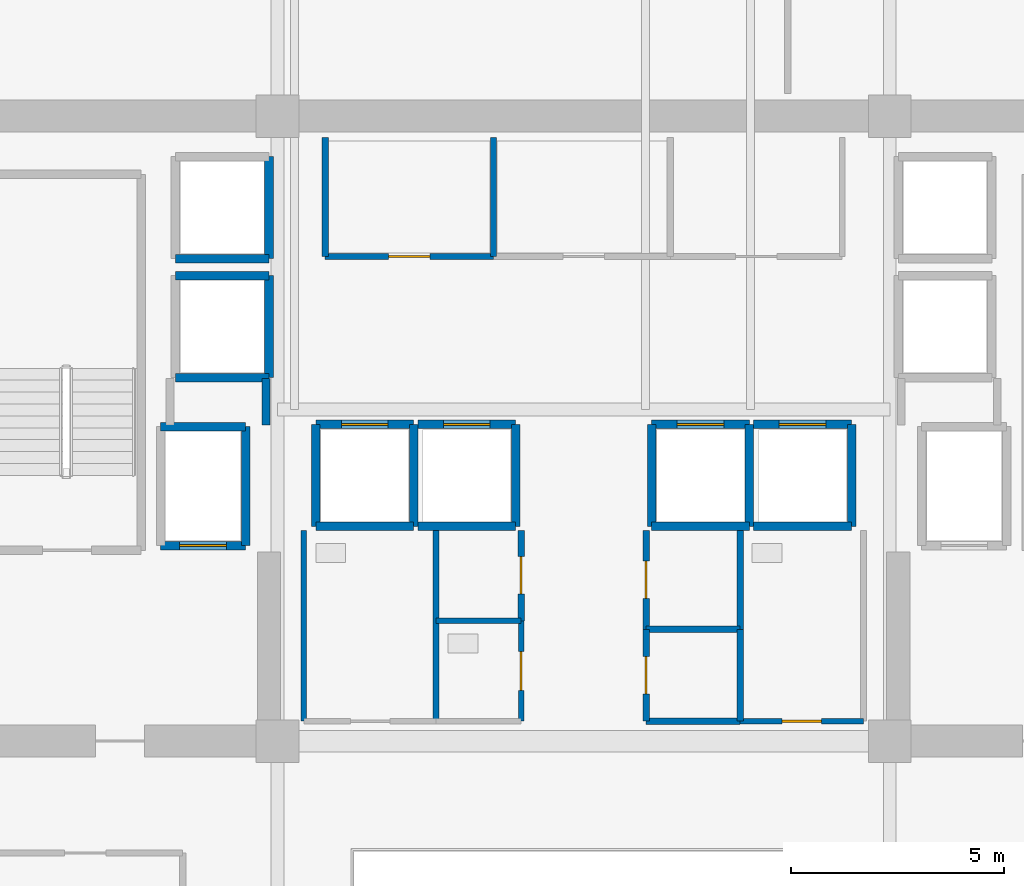
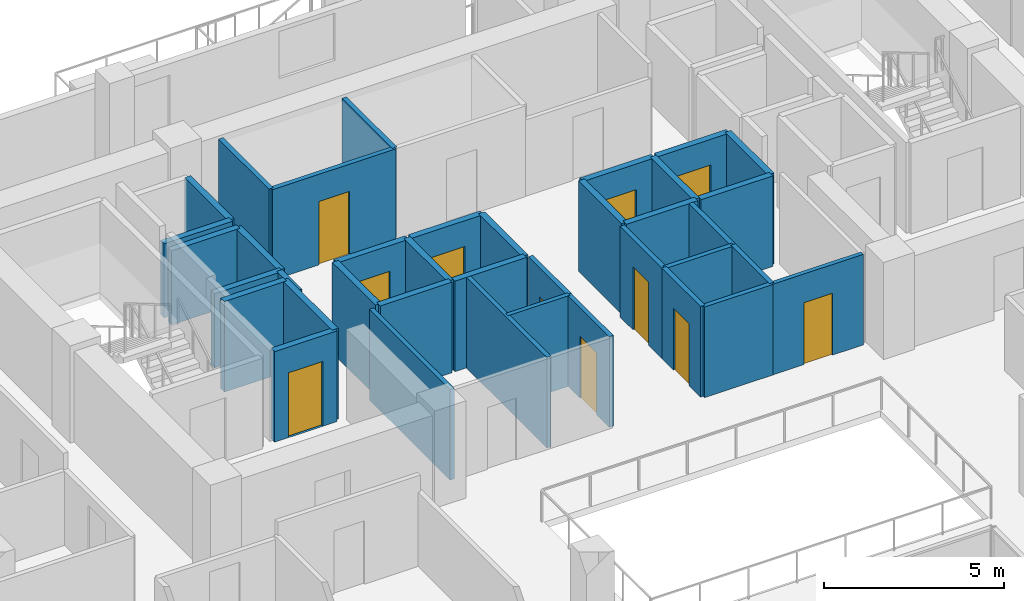
# One storey, part 19 of 27: 38 walls, 11 doors, 11 openings.
"""IFC4 building model written with IfcOpenShell, lengths in metres."""

from ifc_helpers import new_model, si_unit, direction, frame, frame_2d, origin, place, context, subcontext, project, spatial, rectangle, extrude, source, transform, mapped, material, layer, layer_set, type_object, element, fill, save


model = new_model("IFC4")

# Units and contexts
model_context = context("Model", 3, precision=1e-05, world=origin(), true_north=direction((0.0, 1.0)))
body_context = subcontext(model_context, "Body", "Model", "MODEL_VIEW")
ifc_project = project(units=[si_unit("LENGTHUNIT", "METRE"), si_unit("AREAUNIT", "SQUARE_METRE"), si_unit("VOLUMEUNIT", "CUBIC_METRE"), si_unit("PLANEANGLEUNIT", "RADIAN"), si_unit("MASSUNIT", "GRAM", prefix="KILO")], contexts=[model_context])

# Site, building, storey
site_placement = place(None, origin())
site = spatial("IfcSite", under=ifc_project, at=site_placement, CompositionType="ELEMENT")
building_placement = place(site_placement, origin())
building = spatial("IfcBuilding", under=site, at=building_placement, Name="Zarnakvel Exchange Tower", CompositionType="ELEMENT")
storey_placement = place(building_placement, frame((0.0, 0.0, 113.199951171875)))
storey = spatial("IfcBuildingStorey", under=building, at=storey_placement, Name="L31", CompositionType="ELEMENT", Elevation=113.199951171875)

# Wall, opening, door
ifc_material_1 = material(Name="Fire-Rated Gypsum Stud Partition", Category="gypsum")
ifc_layer_1 = layer(ifc_material_1, 0.14990234375)
ifc_layer_set_1 = layer_set([ifc_layer_1], Name="Fire-Rated Gypsum Stud Partition")
wall_type_1 = type_object("IfcWallType", Name="PT-01", PredefinedType="PARTITIONING", material=ifc_layer_set_1)
wall_1_placement = place(storey_placement, frame((-2.1201171875, 10.199951171875, 0.0), z_axis=(0.0, 0.0, 1.0), x_axis=(-1.0, 0.0, 0.0)))
wall_1 = element("IfcWall", 1, at=wall_1_placement, inside=storey, type_object=wall_type_1, Name="L31 Partition Wall PWALL-L31-011 (PT-01)", PredefinedType="PARTITIONING", context=body_context, shape_type="SweptSolid", body=[
    extrude(rectangle(XDim=3.9599609375, YDim=0.14990234375, at=frame_2d((1.97998046875, 0.0))), origin(), (0.0, 0.0, 1.0), 3.074951171875),
])
opening_1_placement = place(wall_1_placement, frame((1.489990234375, 0.0, 0.0)))
opening_1 = element("IfcOpeningElement", 2, at=opening_1_placement, cuts=wall_1, Name="Opening D-L31-05", PredefinedType="OPENING", context=body_context, shape_type="SweptSolid", body=[
    extrude(rectangle(XDim=0.97998046875, YDim=2.14990234375, at=frame_2d((0.489990234375, 1.074951171875))), frame((0.0, 0.0849609375, 0.0), z_axis=(0.0, -1.0, 0.0), x_axis=(1.0, 0.0, 0.0)), (0.0, 0.0, 1.0), 0.169921875),
])
ifc_material_2 = material(Name="Timber Acoustic Veneer", Category="wood")
door_type_1 = type_object("IfcDoorType", Name="DT-05", OperationType="NOTDEFINED", PredefinedType="DOOR", material=ifc_material_2)
shared_shape_1 = source(origin(), body_context, "Body", "SweptSolid", [
    extrude(rectangle(XDim=0.97998046875, YDim=2.14990234375, at=frame_2d((0.489990234375, 1.074951171875))), frame((0.0, 0.02490234375, 0.0), z_axis=(0.0, -1.0, 0.0), x_axis=(1.0, 0.0, 0.0)), (0.0, 0.0, 1.0), 0.050048828125),
])
door_1_placement = place(opening_1_placement, origin())
door_1 = element("IfcDoor", 3, at=door_1_placement, inside=storey, type_object=door_type_1, Name="L31 Clearing Records Office Door D-L31-05", OperationType="SINGLE_SWING_LEFT", OverallHeight=2.14990234375, OverallWidth=0.97998046875, PredefinedType="DOOR", context=body_context, shape_type="MappedRepresentation", body=[
    mapped(shared_shape_1, transform((0.0, 0.0, 0.0), x_axis=(1.0, 0.0, 0.0), y_axis=(0.0, 1.0, 0.0), z_axis=(0.0, 0.0, 1.0), scale=1.0)),
])
fill(opening_1, door_1)

# Walls
for number, where, z_axis, x_axis, name in (
    (4, (-6.080078125, 10.199951171875, 0.0), (0.0, 0.0, 1.0), (0.0, 1.0, 0.0), "L31 Partition Wall PWALL-L31-012 (PT-01)"),
    (5, (-2.1201171875, 13.0, 0.0), (0.0, 0.0, 1.0), (0.0, -1.0, 0.0), "L31 Partition Wall PWALL-L31-013 (PT-01)"),
):
    element("IfcWall", number, at=place(storey_placement, frame(where, z_axis=z_axis, x_axis=x_axis)), inside=storey, type_object=wall_type_1, Name=name, PredefinedType="PARTITIONING", context=body_context, shape_type="SweptSolid", body=[
        extrude(rectangle(XDim=2.800048828125, YDim=0.14990234375, at=frame_2d((1.39990234375, 0.0))), origin(), (0.0, 0.0, 1.0), 3.074951171875),
    ])

# Wall, opening, door
wall_2_placement = place(storey_placement, frame((-1.469970703125, 3.760009765625, 0.0), z_axis=(0.0, 0.0, 1.0), x_axis=(0.0, -1.0, 0.0)))
wall_2 = element("IfcWall", 6, at=wall_2_placement, inside=storey, type_object=wall_type_1, Name="L31 Partition Wall PWALL-L31-024 (PT-01)", PredefinedType="PARTITIONING", context=body_context, shape_type="SweptSolid", body=[
    extrude(rectangle(XDim=2.130126953125, YDim=0.14990234375, at=frame_2d((1.06494140625, 0.0))), origin(), (0.0, 0.0, 1.0), 3.074951171875),
])
opening_2_placement = place(wall_2_placement, frame((0.6201171875, 0.0, 0.0)))
opening_2 = element("IfcOpeningElement", 7, at=opening_2_placement, cuts=wall_2, Name="Opening D-L31-10", PredefinedType="OPENING", context=body_context, shape_type="SweptSolid", body=[
    extrude(rectangle(XDim=0.8798828125, YDim=2.10009765625, at=frame_2d((0.43994140625, 1.050048828125))), frame((0.0, 0.0849609375, 0.0), z_axis=(0.0, -1.0, 0.0), x_axis=(1.0, 0.0, 0.0)), (0.0, 0.0, 1.0), 0.169921875),
])
ifc_material_3 = material(Name="Painted Galvanised Steel S355", Category="steel")
door_type_2 = type_object("IfcDoorType", Name="DT-08", OperationType="NOTDEFINED", PredefinedType="DOOR", material=ifc_material_3)
shared_shape_2 = source(origin(), body_context, "Body", "SweptSolid", [
    extrude(rectangle(XDim=0.8798828125, YDim=2.10009765625, at=frame_2d((0.43994140625, 1.050048828125))), frame((0.0, 0.02490234375, 0.0), z_axis=(0.0, -1.0, 0.0), x_axis=(1.0, 0.0, 0.0)), (0.0, 0.0, 1.0), 0.050048828125),
])
door_2_placement = place(opening_2_placement, origin())
door_2 = element("IfcDoor", 8, at=door_2_placement, inside=storey, type_object=door_type_2, Name="L31 Core Comms Room Door D-L31-10", OperationType="SINGLE_SWING_RIGHT", OverallHeight=2.10009765625, OverallWidth=0.8798828125, PredefinedType="DOOR", context=body_context, shape_type="MappedRepresentation", body=[
    mapped(shared_shape_2, transform((0.0, 0.0, 0.0), x_axis=(1.0, 0.0, 0.0), y_axis=(0.0, 1.0, 0.0), z_axis=(0.0, 0.0, 1.0), scale=1.0)),
])
fill(opening_2, door_2)

# Walls
for number, where, z_axis, x_axis, name in (
    (9, (3.679931640625, -0.72998046875, 0.0), (0.0, 0.0, 1.0), (-1.0, 0.0, 0.0), "L31 Partition Wall PWALL-L31-025 (PT-01)"),
    (10, (1.469970703125, 1.429931640625, 0.0), (0.0, 0.0, 1.0), (1.0, 0.0, 0.0), "L31 Partition Wall PWALL-L31-026 (PT-01)"),
):
    element("IfcWall", number, at=place(storey_placement, frame(where, z_axis=z_axis, x_axis=x_axis)), inside=storey, type_object=wall_type_1, Name=name, PredefinedType="PARTITIONING", context=body_context, shape_type="SweptSolid", body=[
        extrude(rectangle(XDim=2.2099609375, YDim=0.14990234375, at=frame_2d((1.10498046875, 0.0))), origin(), (0.0, 0.0, 1.0), 3.074951171875),
    ])

# Wall, opening, door
wall_3_placement = place(storey_placement, frame((1.469970703125, -0.72998046875, 0.0), z_axis=(0.0, 0.0, 1.0), x_axis=(0.0, 1.0, 0.0)))
wall_3 = element("IfcWall", 11, at=wall_3_placement, inside=storey, type_object=wall_type_1, Name="L31 Partition Wall PWALL-L31-027 (PT-01)", PredefinedType="PARTITIONING", context=body_context, shape_type="SweptSolid", body=[
    extrude(rectangle(XDim=2.159912109375, YDim=0.14990234375, at=frame_2d((1.080078125, 0.0))), origin(), (0.0, 0.0, 1.0), 3.074951171875),
])
opening_3_placement = place(wall_3_placement, frame((0.639892578125, 0.0, 0.0)))
opening_3 = element("IfcOpeningElement", 12, at=opening_3_placement, cuts=wall_3, Name="Opening D-L31-11", PredefinedType="OPENING", context=body_context, shape_type="SweptSolid", body=[
    extrude(rectangle(XDim=0.8798828125, YDim=2.10009765625, at=frame_2d((0.43994140625, 1.050048828125))), frame((0.0, 0.0849609375, 0.0), z_axis=(0.0, -1.0, 0.0), x_axis=(1.0, 0.0, 0.0)), (0.0, 0.0, 1.0), 0.169921875),
])
door_3_placement = place(opening_3_placement, origin())
door_3 = element("IfcDoor", 13, at=door_3_placement, inside=storey, type_object=door_type_2, Name="L31 Janitor Store Door D-L31-11", OperationType="SINGLE_SWING_LEFT", OverallHeight=2.10009765625, OverallWidth=0.8798828125, PredefinedType="DOOR", context=body_context, shape_type="MappedRepresentation", body=[
    mapped(shared_shape_2, transform((0.0, 0.0, 0.0), x_axis=(1.0, 0.0, 0.0), y_axis=(0.0, 1.0, 0.0), z_axis=(0.0, 0.0, 1.0), scale=1.0)),
])
fill(opening_3, door_3)

# Wall
wall_4_placement = place(storey_placement, frame((3.679931640625, 1.429931640625, 0.0), z_axis=(0.0, 0.0, 1.0), x_axis=(0.0, -1.0, 0.0)))
element("IfcWall", 14, at=wall_4_placement, inside=storey, type_object=wall_type_1, Name="L31 Partition Wall PWALL-L31-028 (PT-01)", PredefinedType="PARTITIONING", context=body_context, shape_type="SweptSolid", body=[
    extrude(rectangle(XDim=2.159912109375, YDim=0.14990234375, at=frame_2d((1.080078125, 0.0))), origin(), (0.0, 0.0, 1.0), 3.074951171875),
])

# Wall, opening, door
wall_5_placement = place(storey_placement, frame((1.469970703125, 1.429931640625, 0.0), z_axis=(0.0, 0.0, 1.0), x_axis=(0.0, 1.0, 0.0)))
wall_5 = element("IfcWall", 15, at=wall_5_placement, inside=storey, type_object=wall_type_1, Name="L31 Partition Wall PWALL-L31-029 (PT-01)", PredefinedType="PARTITIONING", context=body_context, shape_type="SweptSolid", body=[
    extrude(rectangle(XDim=2.330078125, YDim=0.14990234375, at=frame_2d((1.1650390625, 0.0))), origin(), (0.0, 0.0, 1.0), 3.074951171875),
])
opening_4_placement = place(wall_5_placement, frame((0.72998046875, 0.0, 0.0)))
opening_4 = element("IfcOpeningElement", 16, at=opening_4_placement, cuts=wall_5, Name="Opening D-L31-12", PredefinedType="OPENING", context=body_context, shape_type="SweptSolid", body=[
    extrude(rectangle(XDim=0.8798828125, YDim=2.14990234375, at=frame_2d((0.43994140625, 1.074951171875))), frame((0.0, 0.0849609375, 0.0), z_axis=(0.0, -1.0, 0.0), x_axis=(1.0, 0.0, 0.0)), (0.0, 0.0, 1.0), 0.169921875),
])
shared_shape_3 = source(origin(), body_context, "Body", "SweptSolid", [
    extrude(rectangle(XDim=0.8798828125, YDim=2.14990234375, at=frame_2d((0.43994140625, 1.074951171875))), frame((0.0, 0.02490234375, 0.0), z_axis=(0.0, -1.0, 0.0), x_axis=(1.0, 0.0, 0.0)), (0.0, 0.0, 1.0), 0.050048828125),
])
door_4_placement = place(opening_4_placement, origin())
door_4 = element("IfcDoor", 17, at=door_4_placement, inside=storey, type_object=door_type_1, Name="L31 Stationery Store Door D-L31-12", OperationType="SINGLE_SWING_RIGHT", OverallHeight=2.14990234375, OverallWidth=0.8798828125, PredefinedType="DOOR", context=body_context, shape_type="MappedRepresentation", body=[
    mapped(shared_shape_3, transform((0.0, 0.0, 0.0), x_axis=(1.0, 0.0, 0.0), y_axis=(0.0, 1.0, 0.0), z_axis=(0.0, 0.0, 1.0), scale=1.0)),
])
fill(opening_4, door_4)

# Walls
wall_6_placement = place(storey_placement, frame((3.679931640625, 3.760009765625, 0.0), z_axis=(0.0, 0.0, 1.0), x_axis=(0.0, -1.0, 0.0)))
element("IfcWall", 18, at=wall_6_placement, inside=storey, type_object=wall_type_1, Name="L31 Partition Wall PWALL-L31-030 (PT-01)", PredefinedType="PARTITIONING", context=body_context, shape_type="SweptSolid", body=[
    extrude(rectangle(XDim=2.330078125, YDim=0.14990234375, at=frame_2d((1.1650390625, 0.0))), origin(), (0.0, 0.0, 1.0), 3.074951171875),
])
ifc_layer_2 = layer(ifc_material_1, 0.179931640625)
ifc_layer_set_2 = layer_set([ifc_layer_2], Name="Fire-Rated Gypsum Stud Partition")
wall_type_2 = type_object("IfcWallType", Name="PT-02", PredefinedType="PARTITIONING", material=ifc_layer_set_2)
wall_7_placement = place(storey_placement, frame((-7.469970703125, 7.330078125, 0.0), z_axis=(0.0, 0.0, 1.0), x_axis=(0.0, -1.0, 0.0)))
element("IfcWall", 19, at=wall_7_placement, inside=storey, type_object=wall_type_2, Name="L31 Partition Wall PWALL-L31-008 (PT-02)", PredefinedType="PARTITIONING", context=body_context, shape_type="SweptSolid", body=[
    extrude(rectangle(XDim=1.090087890625, YDim=0.179931640625, at=frame_2d((0.544921875, 0.0))), origin(), (0.0, 0.0, 1.0), 2.51513671875),
])
ifc_material_4 = material(Name="Moisture-Resistant Tile-Faced Partition", Category="gypsum")
ifc_layer_3 = layer(ifc_material_4, 0.135009765625)
ifc_layer_set_3 = layer_set([ifc_layer_3], Name="Moisture-Resistant Tile-Faced Partition")
wall_type_3 = type_object("IfcWallType", Name="PT-03", PredefinedType="PARTITIONING", material=ifc_layer_set_3)
for number, where, z_axis, x_axis, name in (
    (20, (-6.580078125, -0.72998046875, 0.0), (0.0, 0.0, 1.0), (0.0, 1.0, 0.0), "L31 Partition Wall PWALL-L31-019 (PT-03)"),
    (21, (-3.469970703125, 3.760009765625, 0.0), (0.0, 0.0, 1.0), (0.0, -1.0, 0.0), "L31 Partition Wall PWALL-L31-020 (PT-03)"),
):
    element("IfcWall", number, at=place(storey_placement, frame(where, z_axis=z_axis, x_axis=x_axis)), inside=storey, type_object=wall_type_3, Name=name, PredefinedType="PARTITIONING", context=body_context, shape_type="SweptSolid", body=[
        extrude(rectangle(XDim=4.489990234375, YDim=0.135009765625, at=frame_2d((2.2451171875, 0.0))), origin(), (0.0, 0.0, 1.0), 3.074951171875),
    ])
wall_8_placement = place(storey_placement, frame((-3.469970703125, 1.6298828125, 0.0), z_axis=(0.0, 0.0, 1.0), x_axis=(1.0, 0.0, 0.0)))
element("IfcWall", 22, at=wall_8_placement, inside=storey, type_object=wall_type_3, Name="L31 Partition Wall PWALL-L31-022 (PT-03)", PredefinedType="PARTITIONING", context=body_context, shape_type="SweptSolid", body=[
    extrude(rectangle(XDim=2.0, YDim=0.135009765625, at=frame_2d((1.0, 0.0))), origin(), (0.0, 0.0, 1.0), 3.074951171875),
])

# Wall, opening, door
wall_9_placement = place(storey_placement, frame((-1.469970703125, 1.6298828125, 0.0), z_axis=(0.0, 0.0, 1.0), x_axis=(0.0, -1.0, 0.0)))
wall_9 = element("IfcWall", 23, at=wall_9_placement, inside=storey, type_object=wall_type_3, Name="L31 Partition Wall PWALL-L31-023 (PT-03)", PredefinedType="PARTITIONING", context=body_context, shape_type="SweptSolid", body=[
    extrude(rectangle(XDim=2.35986328125, YDim=0.135009765625, at=frame_2d((1.179931640625, 0.0))), origin(), (0.0, 0.0, 1.0), 3.074951171875),
])
opening_5_placement = place(wall_9_placement, frame((0.719970703125, 0.0, 0.0)))
opening_5 = element("IfcOpeningElement", 24, at=opening_5_placement, cuts=wall_9, Name="Opening D-L31-09", PredefinedType="OPENING", context=body_context, shape_type="SweptSolid", body=[
    extrude(rectangle(XDim=0.919921875, YDim=2.10009765625, at=frame_2d((0.4599609375, 1.050048828125))), frame((0.0, 0.077392578125, 0.0), z_axis=(0.0, -1.0, 0.0), x_axis=(1.0, 0.0, 0.0)), (0.0, 0.0, 1.0), 0.155029296875),
])
ifc_material_5 = material(Name="Moisture-Resistant Laminate Timber", Category="wood")
door_type_3 = type_object("IfcDoorType", Name="DT-07", OperationType="NOTDEFINED", PredefinedType="DOOR", material=ifc_material_5)
shared_shape_4 = source(origin(), body_context, "Body", "SweptSolid", [
    extrude(rectangle(XDim=0.919921875, YDim=2.10009765625, at=frame_2d((0.4599609375, 1.050048828125))), frame((0.0, 0.02490234375, 0.0), z_axis=(0.0, -1.0, 0.0), x_axis=(1.0, 0.0, 0.0)), (0.0, 0.0, 1.0), 0.050048828125),
])
door_5_placement = place(opening_5_placement, origin())
door_5 = element("IfcDoor", 25, at=door_5_placement, inside=storey, type_object=door_type_3, Name="L31 Accessible Toilet Door D-L31-09", OperationType="SINGLE_SWING_LEFT", OverallHeight=2.10009765625, OverallWidth=0.919921875, PredefinedType="DOOR", context=body_context, shape_type="MappedRepresentation", body=[
    mapped(shared_shape_4, transform((0.0, 0.0, 0.0), x_axis=(1.0, 0.0, 0.0), y_axis=(0.0, 1.0, 0.0), z_axis=(0.0, 0.0, 1.0), scale=1.0)),
])
fill(opening_5, door_5)

wall_10_placement = place(storey_placement, frame((6.580078125, -0.72998046875, 0.0), z_axis=(0.0, 0.0, 1.0), x_axis=(-1.0, 0.0, 0.0)))
wall_10 = element("IfcWall", 26, at=wall_10_placement, inside=storey, type_object=wall_type_3, Name="L31 Partition Wall PWALL-L31-031 (PT-03)", PredefinedType="PARTITIONING", context=body_context, shape_type="SweptSolid", body=[
    extrude(rectangle(XDim=2.900146484375, YDim=0.135009765625, at=frame_2d((1.4501953125, 0.0))), origin(), (0.0, 0.0, 1.0), 3.074951171875),
])
opening_6_placement = place(wall_10_placement, frame((0.989990234375, 0.0, 0.0)))
opening_6 = element("IfcOpeningElement", 27, at=opening_6_placement, cuts=wall_10, Name="Opening D-L31-13", PredefinedType="OPENING", context=body_context, shape_type="SweptSolid", body=[
    extrude(rectangle(XDim=0.919921875, YDim=2.10009765625, at=frame_2d((0.4599609375, 1.050048828125))), frame((0.0, 0.077392578125, 0.0), z_axis=(0.0, -1.0, 0.0), x_axis=(1.0, 0.0, 0.0)), (0.0, 0.0, 1.0), 0.155029296875),
])
door_6_placement = place(opening_6_placement, origin())
door_6 = element("IfcDoor", 28, at=door_6_placement, inside=storey, type_object=door_type_3, Name="L31 Female Toilet Door D-L31-13", OperationType="SINGLE_SWING_LEFT", OverallHeight=2.10009765625, OverallWidth=0.919921875, PredefinedType="DOOR", context=body_context, shape_type="MappedRepresentation", body=[
    mapped(shared_shape_4, transform((0.0, 0.0, 0.0), x_axis=(1.0, 0.0, 0.0), y_axis=(0.0, 1.0, 0.0), z_axis=(0.0, 0.0, 1.0), scale=1.0)),
])
fill(opening_6, door_6)

ifc_material_6 = material(Name="Concrete C40/50", Category="concrete")
ifc_layer_4 = layer(ifc_material_6, 0.199951171875)
ifc_layer_set_4 = layer_set([ifc_layer_4], Name="Concrete C40/50")
wall_type_4 = type_object("IfcWallType", Name="SW-01", PredefinedType="SOLIDWALL", material=ifc_layer_set_4)
wall_11_placement = place(storey_placement, frame((-7.949951171875, 3.39990234375, 0.0), z_axis=(0.0, 0.0, 1.0), x_axis=(-1.0, 0.0, 0.0)))
wall_11 = element("IfcWall", 29, at=wall_11_placement, inside=storey, type_object=wall_type_4, Name="L31 FL-01 Hoistway Wall South", PredefinedType="SOLIDWALL", context=body_context, shape_type="SweptSolid", body=[
    extrude(rectangle(XDim=2.0, YDim=0.199951171875, at=frame_2d((1.0, 0.0))), origin(), (0.0, 0.0, 1.0), 3.074951171875),
])
opening_7_placement = place(wall_11_placement, frame((0.449951171875, 0.0, 0.0)))
opening_7 = element("IfcOpeningElement", 30, at=opening_7_placement, cuts=wall_11, Name="Opening LD-FL-01-L31", PredefinedType="OPENING", context=body_context, shape_type="SweptSolid", body=[
    extrude(rectangle(XDim=1.10009765625, YDim=2.199951171875, at=frame_2d((0.550048828125, 1.10009765625))), frame((0.0, 0.10986328125, 0.0), z_axis=(0.0, -1.0, 0.0), x_axis=(1.0, 0.0, 0.0)), (0.0, 0.0, 1.0), 0.219970703125),
])
ifc_material_7 = material(Name="Brushed Stainless Steel", Category="steel")
door_type_4 = type_object("IfcDoorType", Name="LDT-01", OperationType="NOTDEFINED", PredefinedType="DOOR", material=ifc_material_7)
shared_shape_5 = source(origin(), body_context, "Body", "SweptSolid", [
    extrude(rectangle(XDim=1.10009765625, YDim=2.199951171875, at=frame_2d((0.550048828125, 1.10009765625))), frame((0.0, 0.02490234375, 0.0), z_axis=(0.0, -1.0, 0.0), x_axis=(1.0, 0.0, 0.0)), (0.0, 0.0, 1.0), 0.050048828125),
])
door_7_placement = place(opening_7_placement, origin())
door_7 = element("IfcDoor", 31, at=door_7_placement, inside=storey, type_object=door_type_4, Name="L31 FL-01 Lift Landing Door LD-FL-01-L31", OperationType="DOUBLE_DOOR_SLIDING", OverallHeight=2.199951171875, OverallWidth=1.10009765625, PredefinedType="DOOR", context=body_context, shape_type="MappedRepresentation", body=[
    mapped(shared_shape_5, transform((0.0, 0.0, 0.0), x_axis=(1.0, 0.0, 0.0), y_axis=(0.0, 1.0, 0.0), z_axis=(0.0, 0.0, 1.0), scale=1.0)),
])
fill(opening_7, door_7)

# Walls
wall_12_placement = place(storey_placement, frame((-9.949951171875, 6.199951171875, 0.0), z_axis=(0.0, 0.0, 1.0), x_axis=(1.0, 0.0, 0.0)))
element("IfcWall", 32, at=wall_12_placement, inside=storey, type_object=wall_type_4, Name="L31 FL-01 Hoistway Wall North", PredefinedType="SOLIDWALL", context=body_context, shape_type="SweptSolid", body=[
    extrude(rectangle(XDim=2.0, YDim=0.199951171875, at=frame_2d((1.0, 0.0))), origin(), (0.0, 0.0, 1.0), 3.074951171875),
])
wall_13_placement = place(storey_placement, frame((-7.949951171875, 6.199951171875, 0.0), z_axis=(0.0, 0.0, 1.0), x_axis=(0.0, -1.0, 0.0)))
element("IfcWall", 33, at=wall_13_placement, inside=storey, type_object=wall_type_4, Name="L31 FL-01 Hoistway Wall East", PredefinedType="SOLIDWALL", context=body_context, shape_type="SweptSolid", body=[
    extrude(rectangle(XDim=2.800048828125, YDim=0.199951171875, at=frame_2d((1.39990234375, 0.0))), origin(), (0.0, 0.0, 1.0), 3.074951171875),
])
wall_14_placement = place(storey_placement, frame((-4.0, 3.85009765625, 0.0), z_axis=(0.0, 0.0, 1.0), x_axis=(-1.0, 0.0, 0.0)))
element("IfcWall", 34, at=wall_14_placement, inside=storey, type_object=wall_type_4, Name="L31 PL-05 Hoistway Wall South", PredefinedType="SOLIDWALL", context=body_context, shape_type="SweptSolid", body=[
    extrude(rectangle(XDim=2.300048828125, YDim=0.199951171875, at=frame_2d((1.14990234375, 0.0))), origin(), (0.0, 0.0, 1.0), 3.074951171875),
])

# Wall, opening, door
wall_15_placement = place(storey_placement, frame((-6.300048828125, 6.25, 0.0), z_axis=(0.0, 0.0, 1.0), x_axis=(1.0, 0.0, 0.0)))
wall_15 = element("IfcWall", 35, at=wall_15_placement, inside=storey, type_object=wall_type_4, Name="L31 PL-05 Hoistway Wall North", PredefinedType="SOLIDWALL", context=body_context, shape_type="SweptSolid", body=[
    extrude(rectangle(XDim=2.300048828125, YDim=0.199951171875, at=frame_2d((1.14990234375, 0.0))), origin(), (0.0, 0.0, 1.0), 3.074951171875),
])
opening_8_placement = place(wall_15_placement, frame((0.60009765625, 0.0, 0.0)))
opening_8 = element("IfcOpeningElement", 36, at=opening_8_placement, cuts=wall_15, Name="Opening LD-PL-05-L31", PredefinedType="OPENING", context=body_context, shape_type="SweptSolid", body=[
    extrude(rectangle(XDim=1.10009765625, YDim=2.199951171875, at=frame_2d((0.550048828125, 1.10009765625))), frame((0.0, 0.10986328125, 0.0), z_axis=(0.0, -1.0, 0.0), x_axis=(1.0, 0.0, 0.0)), (0.0, 0.0, 1.0), 0.219970703125),
])
ifc_material_8 = material(Name="Architectural Bronze Anodised Aluminium", Category="aluminium")
door_type_5 = type_object("IfcDoorType", Name="LDT-02", OperationType="NOTDEFINED", PredefinedType="DOOR", material=ifc_material_8)
door_8_placement = place(opening_8_placement, origin())
door_8 = element("IfcDoor", 37, at=door_8_placement, inside=storey, type_object=door_type_5, Name="L31 PL-05 Lift Landing Door LD-PL-05-L31", OperationType="DOUBLE_DOOR_SLIDING", OverallHeight=2.199951171875, OverallWidth=1.10009765625, PredefinedType="DOOR", context=body_context, shape_type="MappedRepresentation", body=[
    mapped(shared_shape_5, transform((0.0, 0.0, 0.0), x_axis=(1.0, 0.0, 0.0), y_axis=(0.0, 1.0, 0.0), z_axis=(0.0, 0.0, 1.0), scale=1.0)),
])
fill(opening_8, door_8)

# Walls
for number, where, z_axis, x_axis, name in (
    (38, (-6.300048828125, 3.85009765625, 0.0), (0.0, 0.0, 1.0), (0.0, 1.0, 0.0), "L31 PL-05 Hoistway Wall West"),
    (39, (-4.0, 6.25, 0.0), (0.0, 0.0, 1.0), (0.0, -1.0, 0.0), "L31 PL-05 Hoistway Wall East"),
):
    element("IfcWall", number, at=place(storey_placement, frame(where, z_axis=z_axis, x_axis=x_axis)), inside=storey, type_object=wall_type_4, Name=name, PredefinedType="SOLIDWALL", context=body_context, shape_type="SweptSolid", body=[
        extrude(rectangle(XDim=2.39990234375, YDim=0.199951171875, at=frame_2d((1.199951171875, 0.0))), origin(), (0.0, 0.0, 1.0), 3.074951171875),
    ])
wall_16_placement = place(storey_placement, frame((-1.60009765625, 3.85009765625, 0.0), z_axis=(0.0, 0.0, 1.0), x_axis=(-1.0, 0.0, 0.0)))
element("IfcWall", 40, at=wall_16_placement, inside=storey, type_object=wall_type_4, Name="L31 PL-06 Hoistway Wall South", PredefinedType="SOLIDWALL", context=body_context, shape_type="SweptSolid", body=[
    extrude(rectangle(XDim=2.2998046875, YDim=0.199951171875, at=frame_2d((1.14990234375, 0.0))), origin(), (0.0, 0.0, 1.0), 3.074951171875),
])

# Wall, opening, door
wall_17_placement = place(storey_placement, frame((-3.89990234375, 6.25, 0.0), z_axis=(0.0, 0.0, 1.0), x_axis=(1.0, 0.0, 0.0)))
wall_17 = element("IfcWall", 41, at=wall_17_placement, inside=storey, type_object=wall_type_4, Name="L31 PL-06 Hoistway Wall North", PredefinedType="SOLIDWALL", context=body_context, shape_type="SweptSolid", body=[
    extrude(rectangle(XDim=2.2998046875, YDim=0.199951171875, at=frame_2d((1.14990234375, 0.0))), origin(), (0.0, 0.0, 1.0), 3.074951171875),
])
opening_9_placement = place(wall_17_placement, frame((0.60009765625, 0.0, 0.0)))
opening_9 = element("IfcOpeningElement", 42, at=opening_9_placement, cuts=wall_17, Name="Opening LD-PL-06-L31", PredefinedType="OPENING", context=body_context, shape_type="SweptSolid", body=[
    extrude(rectangle(XDim=1.10009765625, YDim=2.199951171875, at=frame_2d((0.550048828125, 1.10009765625))), frame((0.0, 0.10986328125, 0.0), z_axis=(0.0, -1.0, 0.0), x_axis=(1.0, 0.0, 0.0)), (0.0, 0.0, 1.0), 0.219970703125),
])
door_9_placement = place(opening_9_placement, origin())
door_9 = element("IfcDoor", 43, at=door_9_placement, inside=storey, type_object=door_type_5, Name="L31 PL-06 Lift Landing Door LD-PL-06-L31", OperationType="DOUBLE_DOOR_SLIDING", OverallHeight=2.199951171875, OverallWidth=1.10009765625, PredefinedType="DOOR", context=body_context, shape_type="MappedRepresentation", body=[
    mapped(shared_shape_5, transform((0.0, 0.0, 0.0), x_axis=(1.0, 0.0, 0.0), y_axis=(0.0, 1.0, 0.0), z_axis=(0.0, 0.0, 1.0), scale=1.0)),
])
fill(opening_9, door_9)

# Walls
wall_18_placement = place(storey_placement, frame((-1.60009765625, 6.25, 0.0), z_axis=(0.0, 0.0, 1.0), x_axis=(0.0, -1.0, 0.0)))
element("IfcWall", 44, at=wall_18_placement, inside=storey, type_object=wall_type_4, Name="L31 PL-06 Hoistway Wall East", PredefinedType="SOLIDWALL", context=body_context, shape_type="SweptSolid", body=[
    extrude(rectangle(XDim=2.39990234375, YDim=0.199951171875, at=frame_2d((1.199951171875, 0.0))), origin(), (0.0, 0.0, 1.0), 3.074951171875),
])
wall_19_placement = place(storey_placement, frame((3.89990234375, 3.85009765625, 0.0), z_axis=(0.0, 0.0, 1.0), x_axis=(-1.0, 0.0, 0.0)))
element("IfcWall", 45, at=wall_19_placement, inside=storey, type_object=wall_type_4, Name="L31 PL-07 Hoistway Wall South", PredefinedType="SOLIDWALL", context=body_context, shape_type="SweptSolid", body=[
    extrude(rectangle(XDim=2.2998046875, YDim=0.199951171875, at=frame_2d((1.14990234375, 0.0))), origin(), (0.0, 0.0, 1.0), 3.074951171875),
])

# Wall, opening, door
wall_20_placement = place(storey_placement, frame((1.60009765625, 6.25, 0.0), z_axis=(0.0, 0.0, 1.0), x_axis=(1.0, 0.0, 0.0)))
wall_20 = element("IfcWall", 46, at=wall_20_placement, inside=storey, type_object=wall_type_4, Name="L31 PL-07 Hoistway Wall North", PredefinedType="SOLIDWALL", context=body_context, shape_type="SweptSolid", body=[
    extrude(rectangle(XDim=2.2998046875, YDim=0.199951171875, at=frame_2d((1.14990234375, 0.0))), origin(), (0.0, 0.0, 1.0), 3.074951171875),
])
opening_10_placement = place(wall_20_placement, frame((0.60009765625, 0.0, 0.0)))
opening_10 = element("IfcOpeningElement", 47, at=opening_10_placement, cuts=wall_20, Name="Opening LD-PL-07-L31", PredefinedType="OPENING", context=body_context, shape_type="SweptSolid", body=[
    extrude(rectangle(XDim=1.10009765625, YDim=2.199951171875, at=frame_2d((0.550048828125, 1.10009765625))), frame((0.0, 0.10986328125, 0.0), z_axis=(0.0, -1.0, 0.0), x_axis=(1.0, 0.0, 0.0)), (0.0, 0.0, 1.0), 0.219970703125),
])
door_10_placement = place(opening_10_placement, origin())
door_10 = element("IfcDoor", 48, at=door_10_placement, inside=storey, type_object=door_type_5, Name="L31 PL-07 Lift Landing Door LD-PL-07-L31", OperationType="DOUBLE_DOOR_SLIDING", OverallHeight=2.199951171875, OverallWidth=1.10009765625, PredefinedType="DOOR", context=body_context, shape_type="MappedRepresentation", body=[
    mapped(shared_shape_5, transform((0.0, 0.0, 0.0), x_axis=(1.0, 0.0, 0.0), y_axis=(0.0, 1.0, 0.0), z_axis=(0.0, 0.0, 1.0), scale=1.0)),
])
fill(opening_10, door_10)

# Walls
for number, where, z_axis, x_axis, name in (
    (49, (1.60009765625, 3.85009765625, 0.0), (0.0, 0.0, 1.0), (0.0, 1.0, 0.0), "L31 PL-07 Hoistway Wall West"),
    (50, (3.89990234375, 6.25, 0.0), (0.0, 0.0, 1.0), (0.0, -1.0, 0.0), "L31 PL-07 Hoistway Wall East"),
):
    element("IfcWall", number, at=place(storey_placement, frame(where, z_axis=z_axis, x_axis=x_axis)), inside=storey, type_object=wall_type_4, Name=name, PredefinedType="SOLIDWALL", context=body_context, shape_type="SweptSolid", body=[
        extrude(rectangle(XDim=2.39990234375, YDim=0.199951171875, at=frame_2d((1.199951171875, 0.0))), origin(), (0.0, 0.0, 1.0), 3.074951171875),
    ])
wall_21_placement = place(storey_placement, frame((6.300048828125, 3.85009765625, 0.0), z_axis=(0.0, 0.0, 1.0), x_axis=(-1.0, 0.0, 0.0)))
element("IfcWall", 51, at=wall_21_placement, inside=storey, type_object=wall_type_4, Name="L31 PL-08 Hoistway Wall South", PredefinedType="SOLIDWALL", context=body_context, shape_type="SweptSolid", body=[
    extrude(rectangle(XDim=2.300048828125, YDim=0.199951171875, at=frame_2d((1.14990234375, 0.0))), origin(), (0.0, 0.0, 1.0), 3.074951171875),
])

# Wall, opening, door
wall_22_placement = place(storey_placement, frame((4.0, 6.25, 0.0), z_axis=(0.0, 0.0, 1.0), x_axis=(1.0, 0.0, 0.0)))
wall_22 = element("IfcWall", 52, at=wall_22_placement, inside=storey, type_object=wall_type_4, Name="L31 PL-08 Hoistway Wall North", PredefinedType="SOLIDWALL", context=body_context, shape_type="SweptSolid", body=[
    extrude(rectangle(XDim=2.300048828125, YDim=0.199951171875, at=frame_2d((1.14990234375, 0.0))), origin(), (0.0, 0.0, 1.0), 3.074951171875),
])
opening_11_placement = place(wall_22_placement, frame((0.60009765625, 0.0, 0.0)))
opening_11 = element("IfcOpeningElement", 53, at=opening_11_placement, cuts=wall_22, Name="Opening LD-PL-08-L31", PredefinedType="OPENING", context=body_context, shape_type="SweptSolid", body=[
    extrude(rectangle(XDim=1.10009765625, YDim=2.199951171875, at=frame_2d((0.550048828125, 1.10009765625))), frame((0.0, 0.10986328125, 0.0), z_axis=(0.0, -1.0, 0.0), x_axis=(1.0, 0.0, 0.0)), (0.0, 0.0, 1.0), 0.219970703125),
])
door_11_placement = place(opening_11_placement, origin())
door_11 = element("IfcDoor", 54, at=door_11_placement, inside=storey, type_object=door_type_5, Name="L31 PL-08 Lift Landing Door LD-PL-08-L31", OperationType="DOUBLE_DOOR_SLIDING", OverallHeight=2.199951171875, OverallWidth=1.10009765625, PredefinedType="DOOR", context=body_context, shape_type="MappedRepresentation", body=[
    mapped(shared_shape_5, transform((0.0, 0.0, 0.0), x_axis=(1.0, 0.0, 0.0), y_axis=(0.0, 1.0, 0.0), z_axis=(0.0, 0.0, 1.0), scale=1.0)),
])
fill(opening_11, door_11)

# Walls
wall_23_placement = place(storey_placement, frame((6.300048828125, 6.25, 0.0), z_axis=(0.0, 0.0, 1.0), x_axis=(0.0, -1.0, 0.0)))
element("IfcWall", 55, at=wall_23_placement, inside=storey, type_object=wall_type_4, Name="L31 PL-08 Hoistway Wall East", PredefinedType="SOLIDWALL", context=body_context, shape_type="SweptSolid", body=[
    extrude(rectangle(XDim=2.39990234375, YDim=0.199951171875, at=frame_2d((1.199951171875, 0.0))), origin(), (0.0, 0.0, 1.0), 3.074951171875),
])
for number, where, z_axis, x_axis, name in (
    (56, (-7.39990234375, 7.35009765625, 0.0), (0.0, 0.0, 1.0), (-1.0, 0.0, 0.0), "L31 PL-09 Hoistway Wall South"),
    (57, (-9.60009765625, 9.75, 0.0), (0.0, 0.0, 1.0), (1.0, 0.0, 0.0), "L31 PL-09 Hoistway Wall North"),
):
    element("IfcWall", number, at=place(storey_placement, frame(where, z_axis=z_axis, x_axis=x_axis)), inside=storey, type_object=wall_type_4, Name=name, PredefinedType="SOLIDWALL", context=body_context, shape_type="SweptSolid", body=[
        extrude(rectangle(XDim=2.2001953125, YDim=0.199951171875, at=frame_2d((1.10009765625, 0.0))), origin(), (0.0, 0.0, 1.0), 2.51513671875),
    ])
wall_24_placement = place(storey_placement, frame((-7.39990234375, 9.75, 0.0), z_axis=(0.0, 0.0, 1.0), x_axis=(0.0, -1.0, 0.0)))
element("IfcWall", 58, at=wall_24_placement, inside=storey, type_object=wall_type_4, Name="L31 PL-09 Hoistway Wall East", PredefinedType="SOLIDWALL", context=body_context, shape_type="SweptSolid", body=[
    extrude(rectangle(XDim=2.39990234375, YDim=0.199951171875, at=frame_2d((1.199951171875, 0.0))), origin(), (0.0, 0.0, 1.0), 2.51513671875),
])
wall_25_placement = place(storey_placement, frame((-7.39990234375, 10.14990234375, 0.0), z_axis=(0.0, 0.0, 1.0), x_axis=(-1.0, 0.0, 0.0)))
element("IfcWall", 59, at=wall_25_placement, inside=storey, type_object=wall_type_4, Name="L31 PL-10 Hoistway Wall South", PredefinedType="SOLIDWALL", context=body_context, shape_type="SweptSolid", body=[
    extrude(rectangle(XDim=2.2001953125, YDim=0.199951171875, at=frame_2d((1.10009765625, 0.0))), origin(), (0.0, 0.0, 1.0), 2.51513671875),
])
wall_26_placement = place(storey_placement, frame((-7.39990234375, 12.550048828125, 0.0), z_axis=(0.0, 0.0, 1.0), x_axis=(0.0, -1.0, 0.0)))
element("IfcWall", 60, at=wall_26_placement, inside=storey, type_object=wall_type_4, Name="L31 PL-10 Hoistway Wall East", PredefinedType="SOLIDWALL", context=body_context, shape_type="SweptSolid", body=[
    extrude(rectangle(XDim=2.400146484375, YDim=0.199951171875, at=frame_2d((1.2001953125, 0.0))), origin(), (0.0, 0.0, 1.0), 2.51513671875),
])

save(model, "model.ifc")
